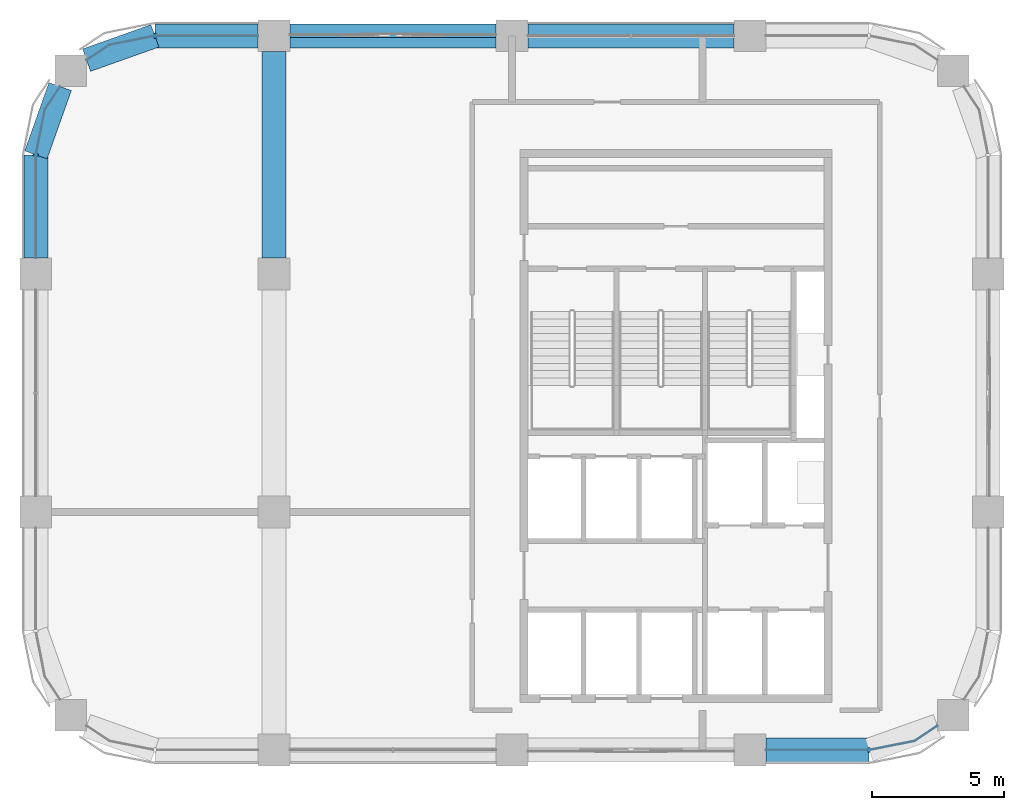
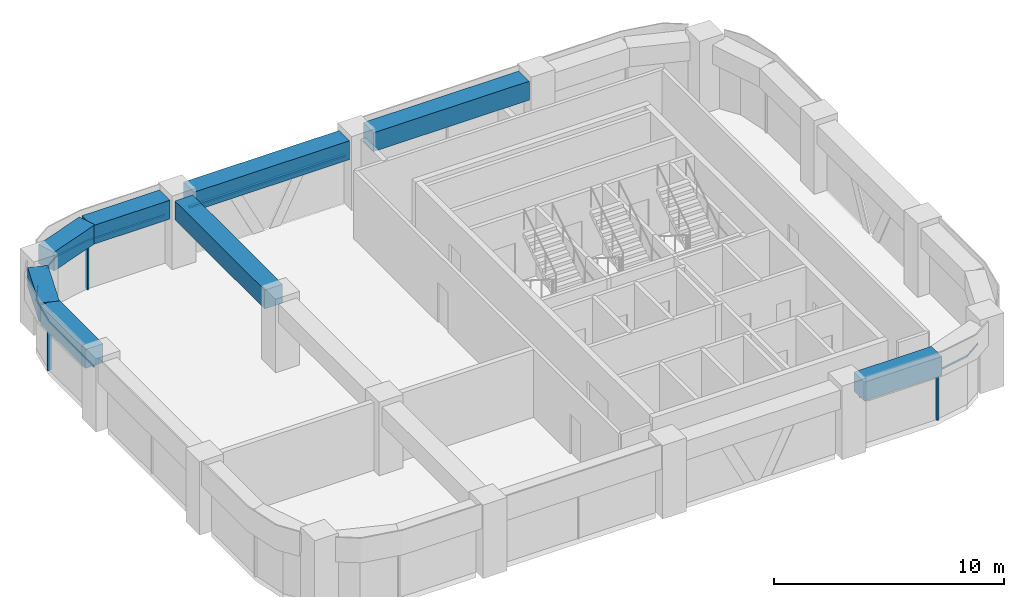
# One storey, part 3 of 9: 8 beams, 7 members, 4 elements without a shape of their own.
"""IFC4 building model written with IfcOpenShell, lengths in metres."""

from ifc_helpers import new_model, si_unit, direction, frame, origin, origin_2d, place, context, subcontext, project, spatial, polyline, rectangle, outline, extrude, material, material_profile, profile_set, type_object, element, aggregate, save


model = new_model("IFC4")

# Units and contexts
model_context = context("Model", 3, precision=1e-05, world=origin(), true_north=direction((0.0, 1.0)))
body_context = subcontext(model_context, "Body", "Model", "MODEL_VIEW")
ifc_project = project(units=[si_unit("LENGTHUNIT", "METRE"), si_unit("AREAUNIT", "SQUARE_METRE"), si_unit("VOLUMEUNIT", "CUBIC_METRE"), si_unit("PLANEANGLEUNIT", "RADIAN"), si_unit("MASSUNIT", "GRAM", prefix="KILO")], contexts=[model_context])

# Site, building, storey
site_placement = place(None, origin())
site = spatial("IfcSite", under=ifc_project, at=site_placement, CompositionType="ELEMENT")
building_placement = place(site_placement, origin())
building = spatial("IfcBuilding", under=site, at=building_placement, Name="Tessera Arch", CompositionType="ELEMENT")
storey_placement = place(building_placement, frame((0.0, 0.0, 309.0)))
storey = spatial("IfcBuildingStorey", under=building, at=storey_placement, Name="L74", CompositionType="ELEMENT", Elevation=309.0)

# Curtain wall, member
ifc_material_1 = material(Name="CW2 curtain wall")
curtain_wall_type_1 = type_object("IfcCurtainWallType", Name="CW2 curtain wall", PredefinedType="NOTDEFINED", material=ifc_material_1)
curtain_wall_1_placement = place(storey_placement, origin())
curtain_wall_1 = element("IfcCurtainWall", 1, at=curtain_wall_1_placement, inside=storey, type_object=curtain_wall_type_1, Name="CW2 curtain wall N54.18/3 L74", PredefinedType="NOTDEFINED")
ifc_material_2 = material(Name="Anodised aluminium pale metal", Category="aluminium")
ifc_material_profile_1 = material_profile(ifc_material_2, rectangle(XDim=0.199951171875, YDim=0.080078125, at=origin_2d()), Name="AL 80x200")
ifc_profile_set_1 = profile_set([ifc_material_profile_1], Name="Anodised aluminium pale metal")
member_type_1 = type_object("IfcMemberType", Name="CW2 mullion", PredefinedType="MULLION", material=ifc_profile_set_1)
member_1_placement = place(storey_placement, frame((22.5, 54.0, 0.0), z_axis=(0.0, 0.0, 1.0), x_axis=(0.0, -1.0, 0.0)))
member_1 = element("IfcMember", 2, at=member_1_placement, type_object=member_type_1, Name="CW2 mullion N54.18/3 1", PredefinedType="MULLION", context=body_context, shape_type="SweptSolid", body=[
    extrude(rectangle(XDim=0.199951171875, YDim=0.080078125, at=origin_2d()), origin(), (0.0, 0.0, 1.0), 2.5),
])

curtain_wall_2_placement = place(storey_placement, origin())
curtain_wall_2 = element("IfcCurtainWall", 3, at=curtain_wall_2_placement, inside=storey, type_object=curtain_wall_type_1, Name="CW2 curtain wall W18.27/0 L74", PredefinedType="NOTDEFINED")
member_2_placement = place(storey_placement, frame((18.0, 49.5, 0.0), z_axis=(0.0, 0.0, 1.0), x_axis=(1.0, 0.0, 0.0)))
member_2 = element("IfcMember", 4, at=member_2_placement, type_object=member_type_1, Name="CW2 mullion W18.27/0 1", PredefinedType="MULLION", context=body_context, shape_type="SweptSolid", body=[
    extrude(rectangle(XDim=0.199951171875, YDim=0.080078125, at=origin_2d()), origin(), (0.0, 0.0, 1.0), 2.5),
])

curtain_wall_3_placement = place(storey_placement, origin())
curtain_wall_3 = element("IfcCurtainWall", 5, at=curtain_wall_3_placement, inside=storey, type_object=curtain_wall_type_1, Name="CW2 curtain wall S27.18/3 L74", PredefinedType="NOTDEFINED")
member_3_placement = place(storey_placement, frame((49.5, 27.0, 0.0), z_axis=(0.0, 0.0, 1.0), x_axis=(0.0, 1.0, 0.0)))
member_3 = element("IfcMember", 6, at=member_3_placement, type_object=member_type_1, Name="CW2 mullion S27.18/3 1", PredefinedType="MULLION", context=body_context, shape_type="SweptSolid", body=[
    extrude(rectangle(XDim=0.199951171875, YDim=0.080078125, at=origin_2d()), origin(), (0.0, 0.0, 1.0), 2.5),
])

# Member
ifc_material_3 = material(Name="Anodised aluminium pale metal", Category="aluminium")
ifc_material_profile_2 = material_profile(ifc_material_3, rectangle(XDim=0.199951171875, YDim=0.10009765625, at=origin_2d()), Name="AL 200x100")
ifc_profile_set_2 = profile_set([ifc_material_profile_2], Name="Anodised aluminium pale metal")
member_type_2 = type_object("IfcMemberType", Name="CW2 transom", PredefinedType="USERDEFINED", material=ifc_profile_set_2)
member_4_placement = place(storey_placement, frame((0.0, 0.0, 2.5)))
member_4 = element("IfcMember", 7, at=member_4_placement, type_object=member_type_2, Name="CW2 transom N54.18/3 1", ObjectType="TRANSOM", PredefinedType="USERDEFINED", context=body_context, shape_type="SweptSolid", body=[
    extrude(outline(polyline([(22.5009765625, 53.989990234375), (26.39990234375, 53.989990234375), (26.39990234375, 54.010009765625), (22.4990234375, 54.010009765625), (20.77392578125, 53.6669921875), (19.912353515625, 53.09130859375), (19.923583984375, 53.07470703125), (20.78173828125, 53.648193359375), (22.5009765625, 53.989990234375)])), origin(), (0.0, 0.0, 1.0), 0.10009765625),
])

aggregate(curtain_wall_1, [member_1, member_4])

member_5_placement = place(storey_placement, frame((0.0, 0.0, 2.5)))
member_5 = element("IfcMember", 8, at=member_5_placement, type_object=member_type_2, Name="CW2 transom W18.27/0 1", ObjectType="TRANSOM", PredefinedType="USERDEFINED", context=body_context, shape_type="SweptSolid", body=[
    extrude(outline(polyline([(18.351806640625, 51.21826171875), (18.92529296875, 52.076416015625), (18.90869140625, 52.087646484375), (18.3330078125, 51.22607421875), (17.989990234375, 49.5009765625), (17.989990234375, 45.60009765625), (18.010009765625, 45.60009765625), (18.010009765625, 49.4990234375), (18.351806640625, 51.21826171875)])), origin(), (0.0, 0.0, 1.0), 0.10009765625),
])

aggregate(curtain_wall_2, [member_2, member_5])

member_6_placement = place(storey_placement, frame((0.0, 0.0, 2.5)))
member_6 = element("IfcMember", 9, at=member_6_placement, type_object=member_type_2, Name="CW2 transom S27.18/3 1", ObjectType="TRANSOM", PredefinedType="USERDEFINED", context=body_context, shape_type="SweptSolid", body=[
    extrude(outline(polyline([(49.4990234375, 27.010009765625), (45.60009765625, 27.010009765625), (45.60009765625, 26.989990234375), (49.5009765625, 26.989990234375), (51.22607421875, 27.3330078125), (52.087646484375, 27.90869140625), (52.076416015625, 27.92529296875), (51.21826171875, 27.351806640625), (49.4990234375, 27.010009765625)])), origin(), (0.0, 0.0, 1.0), 0.10009765625),
])

aggregate(curtain_wall_3, [member_3, member_6])

# Curtain wall, member
ifc_material_4 = material(Name="CW3 curtain wall")
curtain_wall_type_2 = type_object("IfcCurtainWallType", Name="CW3 curtain wall", PredefinedType="NOTDEFINED", material=ifc_material_4)
curtain_wall_4_placement = place(storey_placement, origin())
curtain_wall_4 = element("IfcCurtainWall", 10, at=curtain_wall_4_placement, inside=storey, type_object=curtain_wall_type_2, Name="CW3 curtain wall N54.18/2 L74", PredefinedType="NOTDEFINED")
ifc_material_5 = material(Name="Anodised aluminium pale metal", Category="aluminium")
ifc_material_profile_3 = material_profile(ifc_material_5, rectangle(XDim=0.139892578125, YDim=0.10009765625, at=origin_2d()), Name="AL 140x100")
ifc_profile_set_3 = profile_set([ifc_material_profile_3], Name="Anodised aluminium pale metal")
member_type_3 = type_object("IfcMemberType", Name="CW3 transom", PredefinedType="USERDEFINED", material=ifc_profile_set_3)
member_7_placement = place(storey_placement, frame((35.39990234375, 54.0, 2.550048828125), z_axis=(-1.0, 0.0, 0.0), x_axis=(0.0, -1.0, 0.0)))
member_7 = element("IfcMember", 11, at=member_7_placement, type_object=member_type_3, Name="CW3 transom N54.18/2 1.1", ObjectType="TRANSOM", PredefinedType="USERDEFINED", context=body_context, shape_type="SweptSolid", body=[
    extrude(rectangle(XDim=0.139892578125, YDim=0.10009765625, at=origin_2d()), origin(), (0.0, 0.0, 1.0), 7.7998046875),
])
aggregate(curtain_wall_4, [member_7])

# Beams
ifc_material_6 = material(Name="Concrete C60/75", Category="concrete")
ifc_material_profile_4 = material_profile(ifc_material_6, rectangle(XDim=0.89990234375, YDim=1.0, at=origin_2d()), Name="RC spandrel beam 900 x 1000 Concrete C60/75")
ifc_profile_set_4 = profile_set([ifc_material_profile_4], Name="Concrete C60/75")
beam_type = type_object("IfcBeamType", Name="RC spandrel beam 900 x 1000 Concrete C60/75", PredefinedType="BEAM", material=ifc_profile_set_4)
for number, where, z_axis, x_axis, name in (
    (12, (44.39990234375, 54.0, 3.10009765625), (-1.0, 0.0, 0.0), (0.0, -1.0, 0.0), "Spandrel beam L74 N54.18/1"),
    (13, (35.39990234375, 54.0, 3.10009765625), (-1.0, 0.0, 0.0), (0.0, -1.0, 0.0), "Spandrel beam L74 N54.18/2"),
):
    element("IfcBeam", number, at=place(storey_placement, frame(where, z_axis=z_axis, x_axis=x_axis)), inside=storey, type_object=beam_type, Name=name, PredefinedType="BEAM", context=body_context, shape_type="SweptSolid", body=[
        extrude(rectangle(XDim=0.89990234375, YDim=1.0, at=origin_2d()), origin(), (0.0, 0.0, 1.0), 7.7998046875),
    ])
beam_1_placement = place(storey_placement, frame((26.39990234375, 54.0, 3.10009765625), z_axis=(-1.0, 0.0, 0.0), x_axis=(0.0, -1.0, 0.0)))
element("IfcBeam", 14, at=beam_1_placement, inside=storey, type_object=beam_type, Name="Spandrel beam L74 N54.18/3.1", PredefinedType="BEAM", context=body_context, shape_type="SweptSolid", body=[
    extrude(rectangle(XDim=0.89990234375, YDim=1.0, at=origin_2d()), origin(), (0.0, 0.0, 1.0), 3.89990234375),
])
for number, where, z_axis, x_axis, name in (
    (15, (22.5, 54.0, 3.10009765625), (-0.942337127159, -0.334665114373, 0.0), (0.334665114373, -0.942337127159, 0.0), "Spandrel beam L74 N54.18/3.2"),
    (16, (18.9169921875, 52.08203125, 3.10009765625), (-0.334665114373, -0.942337127159, 0.0), (0.942337127159, -0.334665114373, 0.0), "Spandrel beam L74 W18.27/0.1"),
):
    element("IfcBeam", number, at=place(storey_placement, frame(where, z_axis=z_axis, x_axis=x_axis)), inside=storey, type_object=beam_type, Name=name, PredefinedType="BEAM", context=body_context, shape_type="SweptSolid", body=[
        extrude(rectangle(XDim=0.89990234375, YDim=1.0, at=origin_2d()), origin(), (0.0, 0.0, 1.0), 2.739990234375),
    ])
for number, where, z_axis, x_axis, name in (
    (17, (18.0, 49.5, 3.10009765625), (0.0, -1.0, 0.0), (1.0, 0.0, 0.0), "Spandrel beam L74 W18.27/0.2"),
    (18, (45.60009765625, 27.0, 3.10009765625), (1.0, 0.0, 0.0), (0.0, 1.0, 0.0), "Spandrel beam L74 S27.18/3.1"),
):
    element("IfcBeam", number, at=place(storey_placement, frame(where, z_axis=z_axis, x_axis=x_axis)), inside=storey, type_object=beam_type, Name=name, PredefinedType="BEAM", context=body_context, shape_type="SweptSolid", body=[
        extrude(rectangle(XDim=0.89990234375, YDim=1.0, at=origin_2d()), origin(), (0.0, 0.0, 1.0), 3.89990234375),
    ])
beam_2_placement = place(storey_placement, frame((27.0, 45.60009765625, 3.10009765625), z_axis=(0.0, 1.0, 0.0), x_axis=(-1.0, 0.0, 0.0)))
element("IfcBeam", 19, at=beam_2_placement, inside=storey, type_object=beam_type, Name="Interface beam L74 I0C4F-C4G", PredefinedType="BEAM", context=body_context, shape_type="SweptSolid", body=[
    extrude(rectangle(XDim=0.89990234375, YDim=1.0, at=origin_2d()), origin(), (0.0, 0.0, 1.0), 7.7998046875),
])

save(model, "model.ifc")
